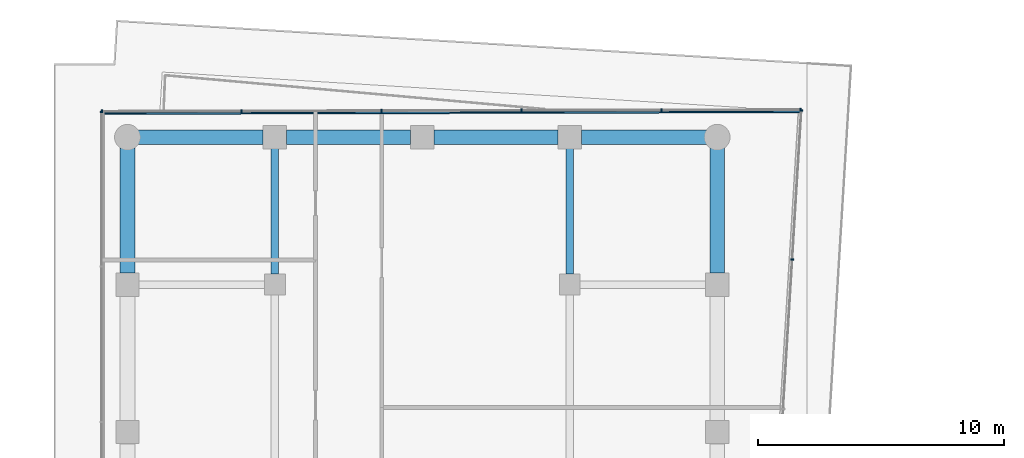
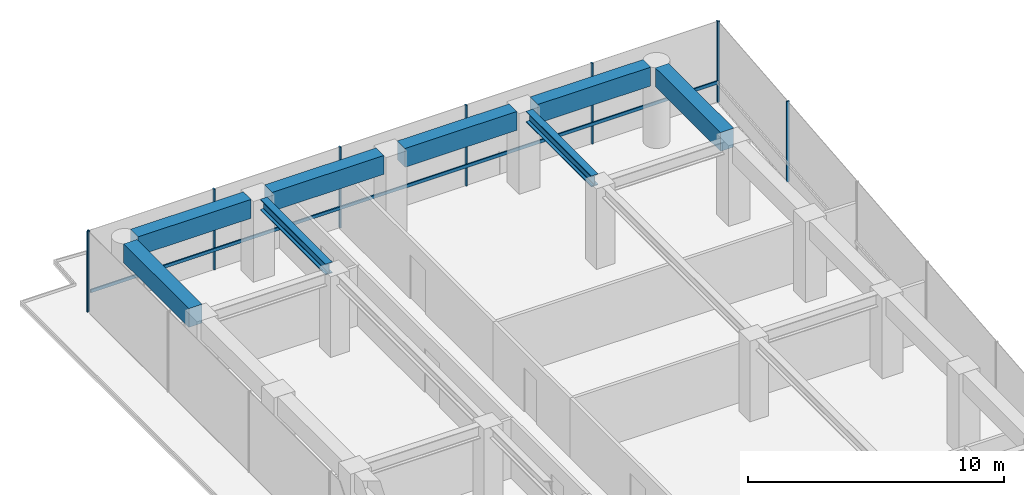
# One storey, part 19 of 27: 10 members, 8 beams, 3 elements without a shape of their own.
"""IFC4 building model written with IfcOpenShell, lengths in metres."""

from ifc_helpers import new_model, si_unit, direction, frame, origin, origin_2d, place, context, subcontext, project, spatial, rectangle, i_section, extrude, material, layer, layer_set, material_profile, profile_set, type_object, element, aggregate, save


model = new_model("IFC4")

# Units and contexts
model_context = context("Model", 3, precision=1e-05, world=origin(), true_north=direction((0.0, 1.0)))
body_context = subcontext(model_context, "Body", "Model", "MODEL_VIEW")
ifc_project = project(units=[si_unit("LENGTHUNIT", "METRE"), si_unit("AREAUNIT", "SQUARE_METRE"), si_unit("VOLUMEUNIT", "CUBIC_METRE"), si_unit("PLANEANGLEUNIT", "RADIAN"), si_unit("MASSUNIT", "GRAM", prefix="KILO")], contexts=[model_context])

# Site, building, storey
site_placement = place(None, origin())
site = spatial("IfcSite", under=ifc_project, at=site_placement, CompositionType="ELEMENT")
building_placement = place(site_placement, origin())
building = spatial("IfcBuilding", under=site, at=building_placement, Name="Welwitschia Terrace Campus", CompositionType="ELEMENT")
storey_placement = place(building_placement, frame((0.0, 0.0, 37.39990234375)))
storey = spatial("IfcBuildingStorey", under=building, at=storey_placement, Name="L08", CompositionType="ELEMENT", Elevation=37.39990234375)

# Beams
ifc_material_1 = material(Name="Steel S355", Category="steel")
ifc_material_profile_1 = material_profile(ifc_material_1, i_section(OverallWidth=0.305908203125, OverallDepth=0.52392578125, WebThickness=0.02099609375, FlangeThickness=0.0400390625, FilletRadius=0.027099609375, at=origin_2d()))
ifc_profile_set_1 = profile_set([ifc_material_profile_1], Name="Steel S355")
beam_type_1 = type_object("IfcBeamType", Name="Interior girder HE 500 M", PredefinedType="BEAM", material=ifc_profile_set_1)
for number, where, z_axis, x_axis, name in (
    (1, (6.0, 56.425537109375, 3.588134765625), (0.0, 1.0, 0.0), (-1.0, 0.0, 0.0), "Girder GB2"),
    (2, (18.0, 56.425537109375, 3.588134765625), (0.0, 1.0, 0.0), (-1.0, 0.0, 0.0), "Girder GB2"),
):
    element("IfcBeam", number, at=place(storey_placement, frame(where, z_axis=z_axis, x_axis=x_axis)), inside=storey, type_object=beam_type_1, Name=name, PredefinedType="BEAM", context=body_context, shape_type="SweptSolid", body=[
        extrude(i_section(OverallWidth=0.305908203125, OverallDepth=0.52392578125, WebThickness=0.02099609375, FlangeThickness=0.0400390625, FilletRadius=0.027099609375, at=origin_2d()), origin(), (0.0, 0.0, 1.0), 5.10888671875),
    ])

# Curtain wall, members
ifc_material_2 = material(Name="Bronze anodised aluminium", Category="aluminium")
ifc_layer = layer(ifc_material_2, 0.1201171875)
ifc_layer_set = layer_set([ifc_layer], Name="Bronze anodised aluminium")
curtain_wall_type = type_object("IfcCurtainWallType", Name="Curtain wall CW2 tower 6000", PredefinedType="NOTDEFINED", material=ifc_layer_set)
curtain_wall_1_placement = place(storey_placement, origin())
curtain_wall_1 = element("IfcCurtainWall", 3, at=curtain_wall_1_placement, inside=storey, type_object=curtain_wall_type, Name="CW L08.11.0", PredefinedType="NOTDEFINED")
ifc_material_3 = material(Name="Bronze anodised aluminium", Category="aluminium")
ifc_material_profile_2 = material_profile(ifc_material_3, rectangle(XDim=0.1201171875, YDim=0.06005859375, at=origin_2d()))
ifc_profile_set_2 = profile_set([ifc_material_profile_2], Name="Bronze anodised aluminium")
member_type_1 = type_object("IfcMemberType", Name="Mullion 60x120", PredefinedType="MULLION", material=ifc_profile_set_2)
member_1_placement = place(storey_placement, frame((27.056640625, 57.02880859375, 0.0), z_axis=(0.0, 0.0, 1.0), x_axis=(-0.998134798422, 0.061048539535, 0.0)))
member_1 = element("IfcMember", 4, at=member_1_placement, type_object=member_type_1, Name="Mullion L08.11.0.5", PredefinedType="MULLION", context=body_context, shape_type="SweptSolid", body=[
    extrude(rectangle(XDim=0.1201171875, YDim=0.06005859375, at=origin_2d()), origin(), (0.0, 0.0, 1.0), 3.85009765625),
])
member_2_placement = place(storey_placement, frame((27.42724609375, 63.090576171875, 0.0), z_axis=(0.0, 0.0, 1.0), x_axis=(-0.998134798422, 0.061048539535, 0.0)))
member_2 = element("IfcMember", 5, at=member_2_placement, type_object=member_type_1, Name="Mullion L08.11.0.6", PredefinedType="MULLION", context=body_context, shape_type="SweptSolid", body=[
    extrude(rectangle(XDim=0.1201171875, YDim=0.06005859375, at=origin_2d()), origin(), (0.0, 0.0, 1.0), 3.85009765625),
])
aggregate(curtain_wall_1, [member_1, member_2])

curtain_wall_2_placement = place(storey_placement, origin())
curtain_wall_2 = element("IfcCurtainWall", 6, at=curtain_wall_2_placement, inside=storey, type_object=curtain_wall_type, Name="CW L08.12.0", PredefinedType="NOTDEFINED")
member_3_placement = place(storey_placement, frame((27.399169921875, 63.12060546875, 0.0), z_axis=(0.0, 0.0, 1.0), x_axis=(0.002393259997, -0.999997136149, 0.0)))
member_3 = element("IfcMember", 7, at=member_3_placement, type_object=member_type_1, Name="Mullion L08.12.0.0", PredefinedType="MULLION", context=body_context, shape_type="SweptSolid", body=[
    extrude(rectangle(XDim=0.1201171875, YDim=0.06005859375, at=origin_2d()), origin(), (0.0, 0.0, 1.0), 3.85009765625),
])
member_4_placement = place(storey_placement, frame((21.731689453125, 63.10693359375, 0.0), z_axis=(0.0, 0.0, 1.0), x_axis=(0.002393259997, -0.999997136149, 0.0)))
member_4 = element("IfcMember", 8, at=member_4_placement, type_object=member_type_1, Name="Mullion L08.12.0.1", PredefinedType="MULLION", context=body_context, shape_type="SweptSolid", body=[
    extrude(rectangle(XDim=0.1201171875, YDim=0.06005859375, at=origin_2d()), origin(), (0.0, 0.0, 1.0), 3.85009765625),
])
member_5_placement = place(storey_placement, frame((16.0341796875, 63.09326171875, 0.0), z_axis=(0.0, 0.0, 1.0), x_axis=(0.002393259997, -0.999997136149, 0.0)))
member_5 = element("IfcMember", 9, at=member_5_placement, type_object=member_type_1, Name="Mullion L08.12.0.2", PredefinedType="MULLION", context=body_context, shape_type="SweptSolid", body=[
    extrude(rectangle(XDim=0.1201171875, YDim=0.06005859375, at=origin_2d()), origin(), (0.0, 0.0, 1.0), 3.85009765625),
])
member_6_placement = place(storey_placement, frame((10.3369140625, 63.079833984375, 0.0), z_axis=(0.0, 0.0, 1.0), x_axis=(0.002393259997, -0.999997136149, 0.0)))
member_6 = element("IfcMember", 10, at=member_6_placement, type_object=member_type_1, Name="Mullion L08.12.0.3", PredefinedType="MULLION", context=body_context, shape_type="SweptSolid", body=[
    extrude(rectangle(XDim=0.1201171875, YDim=0.06005859375, at=origin_2d()), origin(), (0.0, 0.0, 1.0), 3.85009765625),
])
member_7_placement = place(storey_placement, frame((4.639404296875, 63.066162109375, 0.0), z_axis=(0.0, 0.0, 1.0), x_axis=(0.002393259997, -0.999997136149, 0.0)))
member_7 = element("IfcMember", 11, at=member_7_placement, type_object=member_type_1, Name="Mullion L08.12.0.4", PredefinedType="MULLION", context=body_context, shape_type="SweptSolid", body=[
    extrude(rectangle(XDim=0.1201171875, YDim=0.06005859375, at=origin_2d()), origin(), (0.0, 0.0, 1.0), 3.85009765625),
])
member_8_placement = place(storey_placement, frame((-1.028076171875, 63.052490234375, 0.0), z_axis=(0.0, 0.0, 1.0), x_axis=(0.002393259997, -0.999997136149, 0.0)))
member_8 = element("IfcMember", 12, at=member_8_placement, type_object=member_type_1, Name="Mullion L08.12.0.5", PredefinedType="MULLION", context=body_context, shape_type="SweptSolid", body=[
    extrude(rectangle(XDim=0.1201171875, YDim=0.06005859375, at=origin_2d()), origin(), (0.0, 0.0, 1.0), 3.85009765625),
])

# Curtain wall, member
curtain_wall_3_placement = place(storey_placement, origin())
curtain_wall_3 = element("IfcCurtainWall", 13, at=curtain_wall_3_placement, inside=storey, type_object=curtain_wall_type, Name="CW L08.13.0", PredefinedType="NOTDEFINED")
member_9_placement = place(storey_placement, frame((-1.05810546875, 63.0224609375, 0.0), z_axis=(0.0, 0.0, 1.0), x_axis=(1.0, 0.0, 0.0)))
member_9 = element("IfcMember", 14, at=member_9_placement, type_object=member_type_1, Name="Mullion L08.13.0.0", PredefinedType="MULLION", context=body_context, shape_type="SweptSolid", body=[
    extrude(rectangle(XDim=0.1201171875, YDim=0.06005859375, at=origin_2d()), origin(), (0.0, 0.0, 1.0), 3.85009765625),
])
aggregate(curtain_wall_3, [member_9])

# Beams
ifc_material_4 = material(Name="Concrete C60/75", Category="concrete")
ifc_material_profile_3 = material_profile(ifc_material_4, rectangle(XDim=0.60009765625, YDim=0.89990234375, at=origin_2d()))
ifc_profile_set_3 = profile_set([ifc_material_profile_3], Name="Concrete C60/75")
beam_type_2 = type_object("IfcBeamType", Name="Ring spandrel 600x900", PredefinedType="SPANDREL", material=ifc_profile_set_3)
for number, where, z_axis, x_axis, name in (
    (15, (24.0, 56.4755859375, 3.400146484375), (0.0, 1.0, 0.0), (-1.0, 0.0, 0.0), "Spandrel SP2"),
    (16, (23.568603515625, 62.0, 3.400146484375), (-1.0, 0.0, 0.0), (0.0, -1.0, 0.0), "Spandrel SP2"),
):
    element("IfcBeam", number, at=place(storey_placement, frame(where, z_axis=z_axis, x_axis=x_axis)), inside=storey, type_object=beam_type_2, Name=name, PredefinedType="SPANDREL", context=body_context, shape_type="SweptSolid", body=[
        extrude(rectangle(XDim=0.60009765625, YDim=0.89990234375, at=origin_2d()), origin(), (0.0, 0.0, 1.0), 5.093017578125),
    ])
for number, where, z_axis, x_axis, name in (
    (17, (17.5244140625, 62.0, 3.400146484375), (-1.0, 0.0, 0.0), (0.0, -1.0, 0.0), "Spandrel SP2"),
    (18, (11.5244140625, 62.0, 3.400146484375), (-1.0, 0.0, 0.0), (0.0, -1.0, 0.0), "Spandrel SP2"),
):
    element("IfcBeam", number, at=place(storey_placement, frame(where, z_axis=z_axis, x_axis=x_axis)), inside=storey, type_object=beam_type_2, Name=name, PredefinedType="SPANDREL", context=body_context, shape_type="SweptSolid", body=[
        extrude(rectangle(XDim=0.60009765625, YDim=0.89990234375, at=origin_2d()), origin(), (0.0, 0.0, 1.0), 5.048828125),
    ])
for number, where, z_axis, x_axis, name in (
    (19, (5.5244140625, 62.0, 3.400146484375), (-1.0, 0.0, 0.0), (0.0, -1.0, 0.0), "Spandrel SP2"),
    (20, (0.0, 61.568603515625, 3.400146484375), (0.0, -1.0, 0.0), (1.0, 0.0, 0.0), "Spandrel SP2"),
):
    element("IfcBeam", number, at=place(storey_placement, frame(where, z_axis=z_axis, x_axis=x_axis)), inside=storey, type_object=beam_type_2, Name=name, PredefinedType="SPANDREL", context=body_context, shape_type="SweptSolid", body=[
        extrude(rectangle(XDim=0.60009765625, YDim=0.89990234375, at=origin_2d()), origin(), (0.0, 0.0, 1.0), 5.093017578125),
    ])

# Member
ifc_material_5 = material(Name="Bronze anodised aluminium", Category="aluminium")
ifc_material_profile_4 = material_profile(ifc_material_5, rectangle(XDim=0.06005859375, YDim=0.14990234375, at=origin_2d()))
ifc_profile_set_4 = profile_set([ifc_material_profile_4], Name="Bronze anodised aluminium")
member_type_2 = type_object("IfcMemberType", Name="Transom 60x150", PredefinedType="USERDEFINED", material=ifc_profile_set_4)
member_10_placement = place(storey_placement, frame((27.369384765625, 63.030517578125, 1.0), z_axis=(-0.999997137765, -0.002392584724, 0.0), x_axis=(0.002392584724, -0.999997137765, 0.0)))
member_10 = element("IfcMember", 21, at=member_10_placement, type_object=member_type_2, Name="Transom L08.12.0", ObjectType="TRANSOM", PredefinedType="USERDEFINED", context=body_context, shape_type="SweptSolid", body=[
    extrude(rectangle(XDim=0.06005859375, YDim=0.14990234375, at=origin_2d()), origin(), (0.0, 0.0, 1.0), 28.3671875),
])

aggregate(curtain_wall_2, [member_3, member_4, member_5, member_6, member_7, member_8, member_10])

save(model, "model.ifc")
